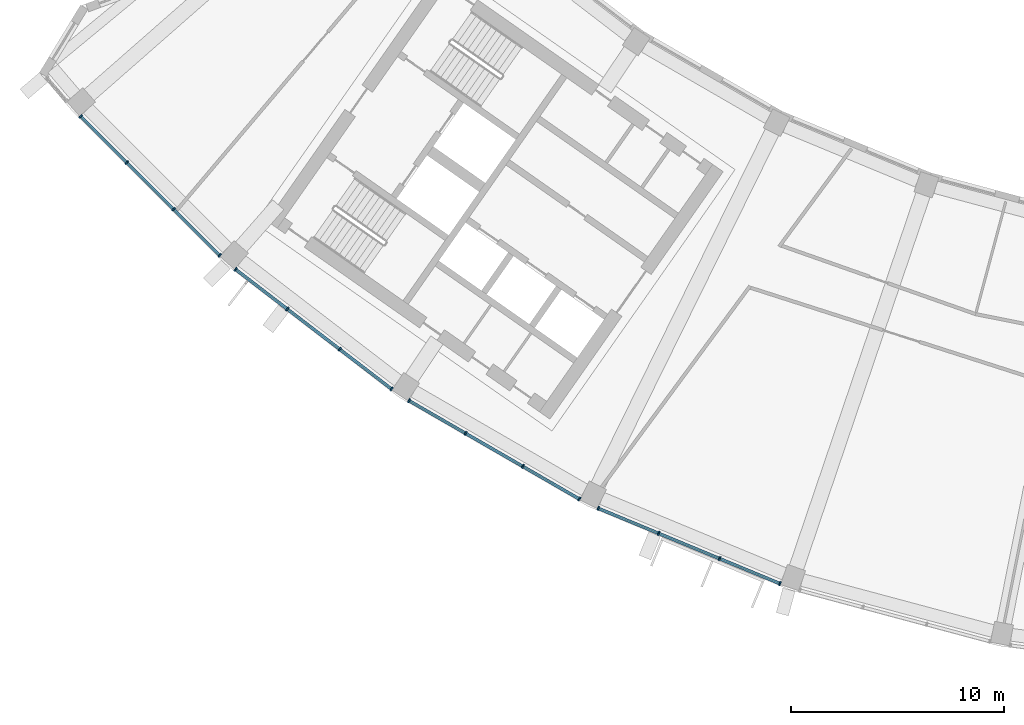
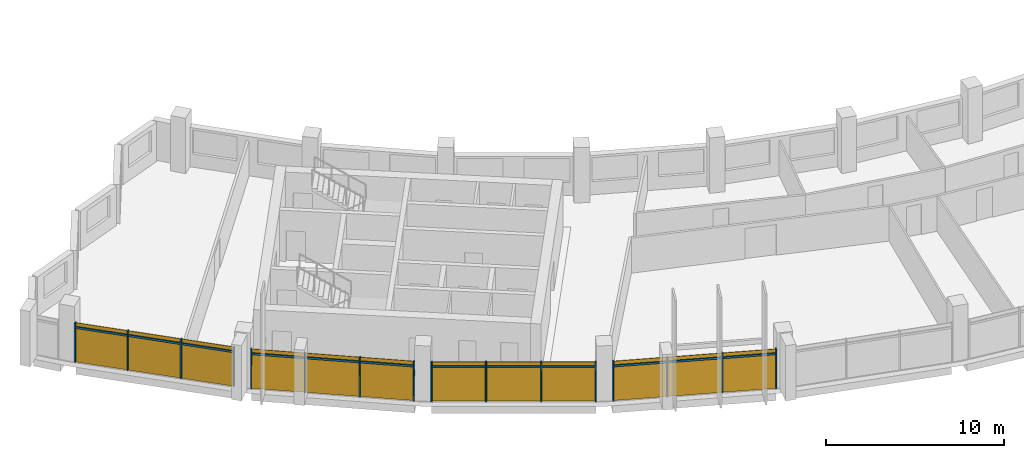
# One storey, part 18 of 28: 28 members, 4 curtain walls.
"""IFC4 building model written with IfcOpenShell, lengths in metres."""

from ifc_helpers import new_model, si_unit, direction, frame, origin, origin_2d, place, context, subcontext, project, spatial, rectangle, extrude, material, material_profile, profile_set, type_object, element, aggregate, save


model = new_model("IFC4")

# Units and contexts
model_context = context("Model", 3, precision=1e-05, world=origin(), true_north=direction((0.0, 1.0)))
body_context = subcontext(model_context, "Body", "Model", "MODEL_VIEW")
ifc_project = project(units=[si_unit("LENGTHUNIT", "METRE"), si_unit("AREAUNIT", "SQUARE_METRE"), si_unit("VOLUMEUNIT", "CUBIC_METRE"), si_unit("PLANEANGLEUNIT", "RADIAN"), si_unit("MASSUNIT", "GRAM", prefix="KILO")], contexts=[model_context])

# Member
ifc_material = material(Name="Aluminium 6063-T6 anodised", Category="aluminium")
ifc_material_profile_1 = material_profile(ifc_material, rectangle(XDim=0.199951171875, YDim=0.070068359375, at=origin_2d()))
ifc_profile_set_1 = profile_set([ifc_material_profile_1], Name="Aluminium 6063-T6 anodised")
member_type_1 = type_object("IfcMemberType", Name="Mullion 70 x 200 aluminium", PredefinedType="MULLION", material=ifc_profile_set_1)
site_placement = place(None, origin())
building_placement = place(site_placement, origin())
storey_placement = place(building_placement, frame((0.0, 0.0, 273.300048828125)))
member_1_placement = place(storey_placement, frame((-58.482421875, -51.942626953125, 0.0), z_axis=(0.0, 0.0, 1.0), x_axis=(0.707106781187, 0.707106781187, 0.0)))
member_1 = element("IfcMember", 1, at=member_1_placement, type_object=member_type_1, Name="e-cw1-L66-out01/M00", PredefinedType="MULLION", context=body_context, shape_type="SweptSolid", body=[
    extrude(rectangle(XDim=0.199951171875, YDim=0.070068359375, at=origin_2d()), origin(), (0.0, 0.0, 1.0), 2.699951171875),
])

member_2_placement = place(storey_placement, frame((-56.310791015625, -54.1142578125, 0.0), z_axis=(0.0, 0.0, 1.0), x_axis=(0.707106781187, 0.707106781187, 0.0)))
member_2 = element("IfcMember", 2, at=member_2_placement, type_object=member_type_1, Name="e-cw1-L66-out01/M01", PredefinedType="MULLION", context=body_context, shape_type="SweptSolid", body=[
    extrude(rectangle(XDim=0.199951171875, YDim=0.070068359375, at=origin_2d()), origin(), (0.0, 0.0, 1.0), 2.699951171875),
])

member_3_placement = place(storey_placement, frame((-54.1142578125, -56.310791015625, 0.0), z_axis=(0.0, 0.0, 1.0), x_axis=(0.707106781187, 0.707106781187, 0.0)))
member_3 = element("IfcMember", 3, at=member_3_placement, type_object=member_type_1, Name="e-cw1-L66-out01/M02", PredefinedType="MULLION", context=body_context, shape_type="SweptSolid", body=[
    extrude(rectangle(XDim=0.199951171875, YDim=0.070068359375, at=origin_2d()), origin(), (0.0, 0.0, 1.0), 2.699951171875),
])

member_4_placement = place(storey_placement, frame((-51.942626953125, -58.482421875, 0.0), z_axis=(0.0, 0.0, 1.0), x_axis=(0.707106781187, 0.707106781187, 0.0)))
member_4 = element("IfcMember", 4, at=member_4_placement, type_object=member_type_1, Name="e-cw1-L66-out01/M03", PredefinedType="MULLION", context=body_context, shape_type="SweptSolid", body=[
    extrude(rectangle(XDim=0.199951171875, YDim=0.070068359375, at=origin_2d()), origin(), (0.0, 0.0, 1.0), 2.699951171875),
])

member_5_placement = place(storey_placement, frame((-51.2021484375, -59.131591796875, 0.0), z_axis=(0.0, 0.0, 1.0), x_axis=(0.608761429009, 0.793353340291, 0.0)))
member_5 = element("IfcMember", 5, at=member_5_placement, type_object=member_type_1, Name="e-cw1-L66-out02/M00", PredefinedType="MULLION", context=body_context, shape_type="SweptSolid", body=[
    extrude(rectangle(XDim=0.199951171875, YDim=0.070068359375, at=origin_2d()), origin(), (0.0, 0.0, 1.0), 2.699951171875),
])

member_6_placement = place(storey_placement, frame((-48.765625, -61.001220703125, 0.0), z_axis=(0.0, 0.0, 1.0), x_axis=(0.608761429009, 0.793353340291, 0.0)))
member_6 = element("IfcMember", 6, at=member_6_placement, type_object=member_type_1, Name="e-cw1-L66-out02/M01", PredefinedType="MULLION", context=body_context, shape_type="SweptSolid", body=[
    extrude(rectangle(XDim=0.199951171875, YDim=0.070068359375, at=origin_2d()), origin(), (0.0, 0.0, 1.0), 2.699951171875),
])

member_7_placement = place(storey_placement, frame((-46.30126953125, -62.892333984375, 0.0), z_axis=(0.0, 0.0, 1.0), x_axis=(0.608761429009, 0.793353340291, 0.0)))
member_7 = element("IfcMember", 7, at=member_7_placement, type_object=member_type_1, Name="e-cw1-L66-out02/M02", PredefinedType="MULLION", context=body_context, shape_type="SweptSolid", body=[
    extrude(rectangle(XDim=0.199951171875, YDim=0.070068359375, at=origin_2d()), origin(), (0.0, 0.0, 1.0), 2.699951171875),
])

member_8_placement = place(storey_placement, frame((-43.86474609375, -64.761962890625, 0.0), z_axis=(0.0, 0.0, 1.0), x_axis=(0.608761429009, 0.793353340291, 0.0)))
member_8 = element("IfcMember", 8, at=member_8_placement, type_object=member_type_1, Name="e-cw1-L66-out02/M03", PredefinedType="MULLION", context=body_context, shape_type="SweptSolid", body=[
    extrude(rectangle(XDim=0.199951171875, YDim=0.070068359375, at=origin_2d()), origin(), (0.0, 0.0, 1.0), 2.699951171875),
])

member_9_placement = place(storey_placement, frame((-43.0458984375, -65.30908203125, 0.0), z_axis=(0.0, 0.0, 1.0), x_axis=(0.5, 0.866025403784, 0.0)))
member_9 = element("IfcMember", 9, at=member_9_placement, type_object=member_type_1, Name="e-cw1-L66-out03/M00", PredefinedType="MULLION", context=body_context, shape_type="SweptSolid", body=[
    extrude(rectangle(XDim=0.199951171875, YDim=0.070068359375, at=origin_2d()), origin(), (0.0, 0.0, 1.0), 2.699951171875),
])

member_10_placement = place(storey_placement, frame((-40.38623046875, -66.8447265625, 0.0), z_axis=(0.0, 0.0, 1.0), x_axis=(0.5, 0.866025403784, 0.0)))
member_10 = element("IfcMember", 10, at=member_10_placement, type_object=member_type_1, Name="e-cw1-L66-out03/M01", PredefinedType="MULLION", context=body_context, shape_type="SweptSolid", body=[
    extrude(rectangle(XDim=0.199951171875, YDim=0.070068359375, at=origin_2d()), origin(), (0.0, 0.0, 1.0), 2.699951171875),
])

member_11_placement = place(storey_placement, frame((-37.696044921875, -68.397705078125, 0.0), z_axis=(0.0, 0.0, 1.0), x_axis=(0.5, 0.866025403784, 0.0)))
member_11 = element("IfcMember", 11, at=member_11_placement, type_object=member_type_1, Name="e-cw1-L66-out03/M02", PredefinedType="MULLION", context=body_context, shape_type="SweptSolid", body=[
    extrude(rectangle(XDim=0.199951171875, YDim=0.070068359375, at=origin_2d()), origin(), (0.0, 0.0, 1.0), 2.699951171875),
])

member_12_placement = place(storey_placement, frame((-35.036376953125, -69.933349609375, 0.0), z_axis=(0.0, 0.0, 1.0), x_axis=(0.5, 0.866025403784, 0.0)))
member_12 = element("IfcMember", 12, at=member_12_placement, type_object=member_type_1, Name="e-cw1-L66-out03/M03", PredefinedType="MULLION", context=body_context, shape_type="SweptSolid", body=[
    extrude(rectangle(XDim=0.199951171875, YDim=0.070068359375, at=origin_2d()), origin(), (0.0, 0.0, 1.0), 2.699951171875),
])

member_13_placement = place(storey_placement, frame((-34.153076171875, -70.368896484375, 0.0), z_axis=(0.0, 0.0, 1.0), x_axis=(0.382683432365, 0.923879532511, 0.0)))
member_13 = element("IfcMember", 13, at=member_13_placement, type_object=member_type_1, Name="e-cw1-L66-out04/M00", PredefinedType="MULLION", context=body_context, shape_type="SweptSolid", body=[
    extrude(rectangle(XDim=0.199951171875, YDim=0.070068359375, at=origin_2d()), origin(), (0.0, 0.0, 1.0), 2.699951171875),
])

member_14_placement = place(storey_placement, frame((-31.315673828125, -71.544189453125, 0.0), z_axis=(0.0, 0.0, 1.0), x_axis=(0.382683432365, 0.923879532511, 0.0)))
member_14 = element("IfcMember", 14, at=member_14_placement, type_object=member_type_1, Name="e-cw1-L66-out04/M01", PredefinedType="MULLION", context=body_context, shape_type="SweptSolid", body=[
    extrude(rectangle(XDim=0.199951171875, YDim=0.070068359375, at=origin_2d()), origin(), (0.0, 0.0, 1.0), 2.699951171875),
])

member_15_placement = place(storey_placement, frame((-28.44580078125, -72.73291015625, 0.0), z_axis=(0.0, 0.0, 1.0), x_axis=(0.382683432365, 0.923879532511, 0.0)))
member_15 = element("IfcMember", 15, at=member_15_placement, type_object=member_type_1, Name="e-cw1-L66-out04/M02", PredefinedType="MULLION", context=body_context, shape_type="SweptSolid", body=[
    extrude(rectangle(XDim=0.199951171875, YDim=0.070068359375, at=origin_2d()), origin(), (0.0, 0.0, 1.0), 2.699951171875),
])

member_16_placement = place(storey_placement, frame((-25.6083984375, -73.908203125, 0.0), z_axis=(0.0, 0.0, 1.0), x_axis=(0.382683432365, 0.923879532511, 0.0)))
member_16 = element("IfcMember", 16, at=member_16_placement, type_object=member_type_1, Name="e-cw1-L66-out04/M03", PredefinedType="MULLION", context=body_context, shape_type="SweptSolid", body=[
    extrude(rectangle(XDim=0.199951171875, YDim=0.070068359375, at=origin_2d()), origin(), (0.0, 0.0, 1.0), 2.699951171875),
])

ifc_material_profile_2 = material_profile(ifc_material, rectangle(XDim=0.139892578125, YDim=0.1201171875, at=origin_2d()))
ifc_profile_set_2 = profile_set([ifc_material_profile_2], Name="Aluminium 6063-T6 anodised")
member_type_2 = type_object("IfcMemberType", Name="Transom 120 x 140 aluminium", PredefinedType="USERDEFINED", material=ifc_profile_set_2)
member_17_placement = place(storey_placement, frame((-58.45751953125, -51.96728515625, 2.39990234375), z_axis=(0.707066106633, -0.707147453401, 0.0), x_axis=(0.707147453401, 0.707066106633, 0.0)))
member_17 = element("IfcMember", 17, at=member_17_placement, type_object=member_type_2, Name="e-cw1-L66-out01/T00", ObjectType="TRANSOM", PredefinedType="USERDEFINED", context=body_context, shape_type="SweptSolid", body=[
    extrude(rectangle(XDim=0.139892578125, YDim=0.1201171875, at=origin_2d()), origin(), (0.0, 0.0, 1.0), 3.001220703125),
])

member_18_placement = place(storey_placement, frame((-56.285888671875, -54.138916015625, 2.39990234375), z_axis=(0.707106781187, -0.707106781187, 0.0), x_axis=(0.707106781187, 0.707106781187, 0.0)))
member_18 = element("IfcMember", 18, at=member_18_placement, type_object=member_type_2, Name="e-cw1-L66-out01/T01", ObjectType="TRANSOM", PredefinedType="USERDEFINED", context=body_context, shape_type="SweptSolid", body=[
    extrude(rectangle(XDim=0.139892578125, YDim=0.1201171875, at=origin_2d()), origin(), (0.0, 0.0, 1.0), 3.036376953125),
])

member_19_placement = place(storey_placement, frame((-54.089599609375, -56.33544921875, 2.39990234375), z_axis=(0.707147453401, -0.707066106633, 0.0), x_axis=(0.707066106633, 0.707147453401, 0.0)))
member_19 = element("IfcMember", 19, at=member_19_placement, type_object=member_type_2, Name="e-cw1-L66-out01/T02", ObjectType="TRANSOM", PredefinedType="USERDEFINED", context=body_context, shape_type="SweptSolid", body=[
    extrude(rectangle(XDim=0.139892578125, YDim=0.1201171875, at=origin_2d()), origin(), (0.0, 0.0, 1.0), 3.001220703125),
])

member_20_placement = place(storey_placement, frame((-51.17431640625, -59.153076171875, 2.39990234375), z_axis=(0.793352271072, -0.60876282244, 0.0), x_axis=(0.60876282244, 0.793352271072, 0.0)))
member_20 = element("IfcMember", 20, at=member_20_placement, type_object=member_type_2, Name="e-cw1-L66-out02/T00", ObjectType="TRANSOM", PredefinedType="USERDEFINED", context=body_context, shape_type="SweptSolid", body=[
    extrude(rectangle(XDim=0.139892578125, YDim=0.1201171875, at=origin_2d()), origin(), (0.0, 0.0, 1.0), 3.0009765625),
])

member_21_placement = place(storey_placement, frame((-48.73779296875, -61.022705078125, 2.39990234375), z_axis=(0.79333190513, -0.608789362836, 0.0), x_axis=(0.608789362836, 0.79333190513, 0.0)))
member_21 = element("IfcMember", 21, at=member_21_placement, type_object=member_type_2, Name="e-cw1-L66-out02/T01", ObjectType="TRANSOM", PredefinedType="USERDEFINED", context=body_context, shape_type="SweptSolid", body=[
    extrude(rectangle(XDim=0.139892578125, YDim=0.1201171875, at=origin_2d()), origin(), (0.0, 0.0, 1.0), 3.0361328125),
])

member_22_placement = place(storey_placement, frame((-46.2734375, -62.91357421875, 2.39990234375), z_axis=(0.793312980955, -0.60881402271, 0.0), x_axis=(0.60881402271, 0.793312980955, 0.0)))
member_22 = element("IfcMember", 22, at=member_22_placement, type_object=member_type_2, Name="e-cw1-L66-out02/T02", ObjectType="TRANSOM", PredefinedType="USERDEFINED", context=body_context, shape_type="SweptSolid", body=[
    extrude(rectangle(XDim=0.139892578125, YDim=0.1201171875, at=origin_2d()), origin(), (0.0, 0.0, 1.0), 3.001220703125),
])

member_23_placement = place(storey_placement, frame((-43.015625, -65.32666015625, 2.39990234375), z_axis=(0.866041993159, -0.49997126526, 0.0), x_axis=(0.49997126526, 0.866041993159, 0.0)))
member_23 = element("IfcMember", 23, at=member_23_placement, type_object=member_type_2, Name="e-cw1-L66-out03/T00", ObjectType="TRANSOM", PredefinedType="USERDEFINED", context=body_context, shape_type="SweptSolid", body=[
    extrude(rectangle(XDim=0.139892578125, YDim=0.1201171875, at=origin_2d()), origin(), (0.0, 0.0, 1.0), 3.001220703125),
])

member_24_placement = place(storey_placement, frame((-40.35595703125, -66.862060546875, 2.39990234375), z_axis=(0.866012861315, -0.500021723565, 0.0), x_axis=(0.500021723565, 0.866012861315, 0.0)))
member_24 = element("IfcMember", 24, at=member_24_placement, type_object=member_type_2, Name="e-cw1-L66-out03/T01", ObjectType="TRANSOM", PredefinedType="USERDEFINED", context=body_context, shape_type="SweptSolid", body=[
    extrude(rectangle(XDim=0.139892578125, YDim=0.1201171875, at=origin_2d()), origin(), (0.0, 0.0, 1.0), 3.036376953125),
])

member_25_placement = place(storey_placement, frame((-37.665771484375, -68.415283203125, 2.39990234375), z_axis=(0.866041993159, -0.49997126526, 0.0), x_axis=(0.49997126526, 0.866041993159, 0.0)))
member_25 = element("IfcMember", 25, at=member_25_placement, type_object=member_type_2, Name="e-cw1-L66-out03/T02", ObjectType="TRANSOM", PredefinedType="USERDEFINED", context=body_context, shape_type="SweptSolid", body=[
    extrude(rectangle(XDim=0.139892578125, YDim=0.1201171875, at=origin_2d()), origin(), (0.0, 0.0, 1.0), 3.001220703125),
])

member_26_placement = place(storey_placement, frame((-34.120849609375, -70.38232421875, 2.39990234375), z_axis=(0.923897869521, -0.382639159907, 0.0), x_axis=(0.382639159907, 0.923897869521, 0.0)))
member_26 = element("IfcMember", 26, at=member_26_placement, type_object=member_type_2, Name="e-cw1-L66-out04/T00", ObjectType="TRANSOM", PredefinedType="USERDEFINED", context=body_context, shape_type="SweptSolid", body=[
    extrude(rectangle(XDim=0.139892578125, YDim=0.1201171875, at=origin_2d()), origin(), (0.0, 0.0, 1.0), 3.00146484375),
])

member_27_placement = place(storey_placement, frame((-31.283447265625, -71.5576171875, 2.39990234375), z_axis=(0.923888454036, -0.38266189319, 0.0), x_axis=(0.38266189319, 0.923888454036, 0.0)))
member_27 = element("IfcMember", 27, at=member_27_placement, type_object=member_type_2, Name="e-cw1-L66-out04/T01", ObjectType="TRANSOM", PredefinedType="USERDEFINED", context=body_context, shape_type="SweptSolid", body=[
    extrude(rectangle(XDim=0.139892578125, YDim=0.1201171875, at=origin_2d()), origin(), (0.0, 0.0, 1.0), 3.036376953125),
])

member_28_placement = place(storey_placement, frame((-28.41357421875, -72.746337890625, 2.39990234375), z_axis=(0.923885958475, -0.382667918347, 0.0), x_axis=(0.382667918347, 0.923885958475, 0.0)))
member_28 = element("IfcMember", 28, at=member_28_placement, type_object=member_type_2, Name="e-cw1-L66-out04/T02", ObjectType="TRANSOM", PredefinedType="USERDEFINED", context=body_context, shape_type="SweptSolid", body=[
    extrude(rectangle(XDim=0.139892578125, YDim=0.1201171875, at=origin_2d()), origin(), (0.0, 0.0, 1.0), 3.001220703125),
])

# Site, building, storey
site = spatial("IfcSite", under=ifc_project, at=site_placement, CompositionType="ELEMENT")
building = spatial("IfcBuilding", under=site, at=building_placement, Name="Qamariyya Broadcast Tower", CompositionType="ELEMENT")
storey = spatial("IfcBuildingStorey", under=building, at=storey_placement, Name="L66", CompositionType="ELEMENT", Elevation=273.300048828125)

# Curtain wall
curtain_wall_type = type_object("IfcCurtainWallType", Name="Unitised curtain wall, anodised aluminium", PredefinedType="NOTDEFINED", material=ifc_material)
curtain_wall_1_placement = place(storey_placement, origin())
curtain_wall_1 = element("IfcCurtainWall", 29, at=curtain_wall_1_placement, inside=storey, type_object=curtain_wall_type, Name="e-cw1-L66-out01", PredefinedType="NOTDEFINED", context=body_context, shape_type="SweptSolid", body=[
    extrude(rectangle(XDim=3.001220703125, YDim=0.031982421875, at=origin_2d()), frame((-57.396484375, -53.0283203125, 0.0), x_axis=(0.707106781187, -0.707106781187, 0.0)), (0.0, 0.0, 1.0), 2.340087890625),
    extrude(rectangle(XDim=3.001220703125, YDim=0.031982421875, at=origin_2d()), frame((-57.396484375, -53.0283203125, 2.4599609375), x_axis=(0.707106781187, -0.707106781187, 0.0)), (0.0, 0.0, 1.0), 0.239990234375),
    extrude(rectangle(XDim=3.0361328125, YDim=0.031982421875, at=origin_2d()), frame((-55.21240234375, -55.21240234375, 0.0), x_axis=(0.707106781187, -0.707106781187, 0.0)), (0.0, 0.0, 1.0), 2.340087890625),
    extrude(rectangle(XDim=3.0361328125, YDim=0.031982421875, at=origin_2d()), frame((-55.21240234375, -55.21240234375, 2.4599609375), x_axis=(0.707106781187, -0.707106781187, 0.0)), (0.0, 0.0, 1.0), 0.239990234375),
    extrude(rectangle(XDim=3.001220703125, YDim=0.031982421875, at=origin_2d()), frame((-53.0283203125, -57.396484375, 0.0), x_axis=(0.707106781187, -0.707106781187, 0.0)), (0.0, 0.0, 1.0), 2.340087890625),
    extrude(rectangle(XDim=3.001220703125, YDim=0.031982421875, at=origin_2d()), frame((-53.0283203125, -57.396484375, 2.4599609375), x_axis=(0.707106781187, -0.707106781187, 0.0)), (0.0, 0.0, 1.0), 0.239990234375),
])

aggregate(curtain_wall_1, [member_1, member_2, member_3, member_4, member_17, member_18, member_19])

curtain_wall_2_placement = place(storey_placement, origin())
curtain_wall_2 = element("IfcCurtainWall", 30, at=curtain_wall_2_placement, inside=storey, type_object=curtain_wall_type, Name="e-cw1-L66-out02", PredefinedType="NOTDEFINED", context=body_context, shape_type="SweptSolid", body=[
    extrude(rectangle(XDim=3.001220703125, YDim=0.031982421875, at=origin_2d()), frame((-49.98388671875, -60.06640625, 0.0), x_axis=(0.793355818396, -0.608758199466, 0.0)), (0.0, 0.0, 1.0), 2.340087890625),
    extrude(rectangle(XDim=3.001220703125, YDim=0.031982421875, at=origin_2d()), frame((-49.98388671875, -60.06640625, 2.4599609375), x_axis=(0.793355818396, -0.608758199466, 0.0)), (0.0, 0.0, 1.0), 0.239990234375),
    extrude(rectangle(XDim=3.0361328125, YDim=0.031982421875, at=origin_2d()), frame((-47.533447265625, -61.94677734375, 0.0), x_axis=(0.793355818396, -0.608758199466, 0.0)), (0.0, 0.0, 1.0), 2.340087890625),
    extrude(rectangle(XDim=3.0361328125, YDim=0.031982421875, at=origin_2d()), frame((-47.533447265625, -61.94677734375, 2.4599609375), x_axis=(0.793355818396, -0.608758199466, 0.0)), (0.0, 0.0, 1.0), 0.239990234375),
    extrude(rectangle(XDim=3.001220703125, YDim=0.031982421875, at=origin_2d()), frame((-45.0830078125, -63.8271484375, 0.0), x_axis=(0.793355818396, -0.608758199466, 0.0)), (0.0, 0.0, 1.0), 2.340087890625),
    extrude(rectangle(XDim=3.001220703125, YDim=0.031982421875, at=origin_2d()), frame((-45.0830078125, -63.8271484375, 2.4599609375), x_axis=(0.793355818396, -0.608758199466, 0.0)), (0.0, 0.0, 1.0), 0.239990234375),
])

aggregate(curtain_wall_2, [member_5, member_6, member_7, member_8, member_20, member_21, member_22])

curtain_wall_3_placement = place(storey_placement, origin())
curtain_wall_3 = element("IfcCurtainWall", 31, at=curtain_wall_3_placement, inside=storey, type_object=curtain_wall_type, Name="e-cw1-L66-out03", PredefinedType="NOTDEFINED", context=body_context, shape_type="SweptSolid", body=[
    extrude(rectangle(XDim=3.001220703125, YDim=0.031982421875, at=origin_2d()), frame((-41.716064453125, -66.076904296875, 0.0), x_axis=(0.866017611601, -0.500013496215, 0.0)), (0.0, 0.0, 1.0), 2.340087890625),
    extrude(rectangle(XDim=3.001220703125, YDim=0.031982421875, at=origin_2d()), frame((-41.716064453125, -66.076904296875, 2.4599609375), x_axis=(0.866017611601, -0.500013496215, 0.0)), (0.0, 0.0, 1.0), 0.239990234375),
    extrude(rectangle(XDim=3.0361328125, YDim=0.031982421875, at=origin_2d()), frame((-39.041015625, -67.62109375, 0.0), x_axis=(0.866017611601, -0.500013496215, 0.0)), (0.0, 0.0, 1.0), 2.340087890625),
    extrude(rectangle(XDim=3.0361328125, YDim=0.031982421875, at=origin_2d()), frame((-39.041015625, -67.62109375, 2.4599609375), x_axis=(0.866017611601, -0.500013496215, 0.0)), (0.0, 0.0, 1.0), 0.239990234375),
    extrude(rectangle(XDim=3.001220703125, YDim=0.031982421875, at=origin_2d()), frame((-36.3662109375, -69.16552734375, 0.0), x_axis=(0.866017611601, -0.500013496215, 0.0)), (0.0, 0.0, 1.0), 2.340087890625),
    extrude(rectangle(XDim=3.001220703125, YDim=0.031982421875, at=origin_2d()), frame((-36.3662109375, -69.16552734375, 2.4599609375), x_axis=(0.866017611601, -0.500013496215, 0.0)), (0.0, 0.0, 1.0), 0.239990234375),
])

aggregate(curtain_wall_3, [member_9, member_10, member_11, member_12, member_23, member_24, member_25])

curtain_wall_4_placement = place(storey_placement, origin())
curtain_wall_4 = element("IfcCurtainWall", 32, at=curtain_wall_4_placement, inside=storey, type_object=curtain_wall_type, Name="e-cw1-L66-out04", PredefinedType="NOTDEFINED", context=body_context, shape_type="SweptSolid", body=[
    extrude(rectangle(XDim=3.001220703125, YDim=0.031982421875, at=origin_2d()), frame((-32.734375, -70.95654296875, 0.0), x_axis=(0.923877930643, -0.382687299595, 0.0)), (0.0, 0.0, 1.0), 2.340087890625),
    extrude(rectangle(XDim=3.001220703125, YDim=0.031982421875, at=origin_2d()), frame((-32.734375, -70.95654296875, 2.4599609375), x_axis=(0.923877930643, -0.382687299595, 0.0)), (0.0, 0.0, 1.0), 0.239990234375),
    extrude(rectangle(XDim=3.0361328125, YDim=0.031982421875, at=origin_2d()), frame((-29.880859375, -72.138671875, 0.0), x_axis=(0.923877930643, -0.382687299595, 0.0)), (0.0, 0.0, 1.0), 2.340087890625),
    extrude(rectangle(XDim=3.0361328125, YDim=0.031982421875, at=origin_2d()), frame((-29.880859375, -72.138671875, 2.4599609375), x_axis=(0.923877930643, -0.382687299595, 0.0)), (0.0, 0.0, 1.0), 0.239990234375),
    extrude(rectangle(XDim=3.001220703125, YDim=0.031982421875, at=origin_2d()), frame((-27.02734375, -73.320556640625, 0.0), x_axis=(0.923877930643, -0.382687299595, 0.0)), (0.0, 0.0, 1.0), 2.340087890625),
    extrude(rectangle(XDim=3.001220703125, YDim=0.031982421875, at=origin_2d()), frame((-27.02734375, -73.320556640625, 2.4599609375), x_axis=(0.923877930643, -0.382687299595, 0.0)), (0.0, 0.0, 1.0), 0.239990234375),
])

aggregate(curtain_wall_4, [member_13, member_14, member_15, member_16, member_26, member_27, member_28])

save(model, "model.ifc")
